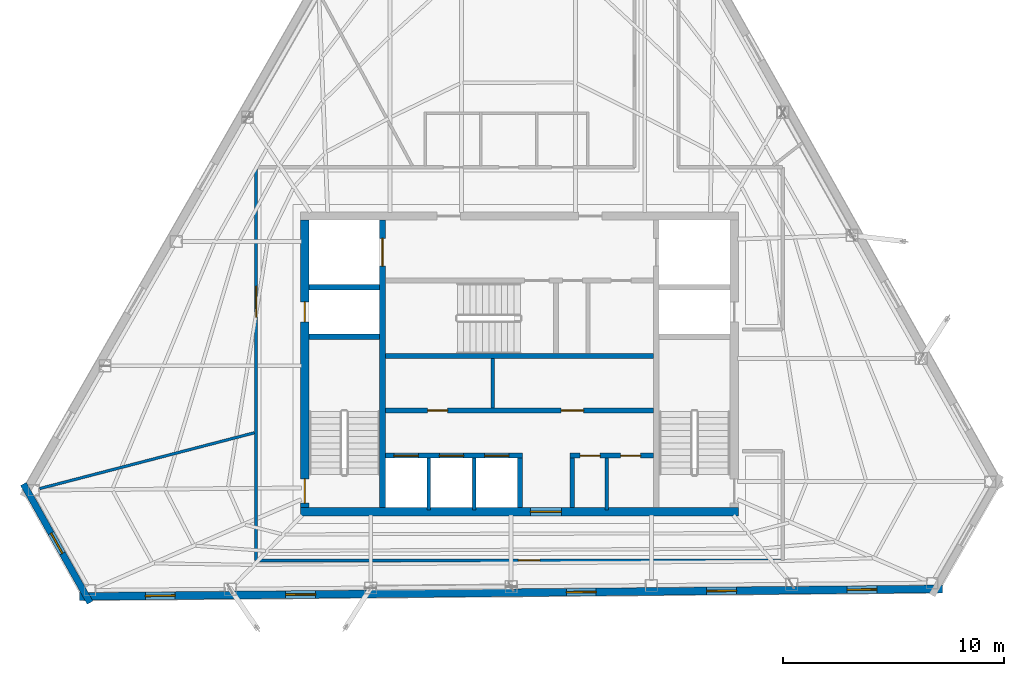
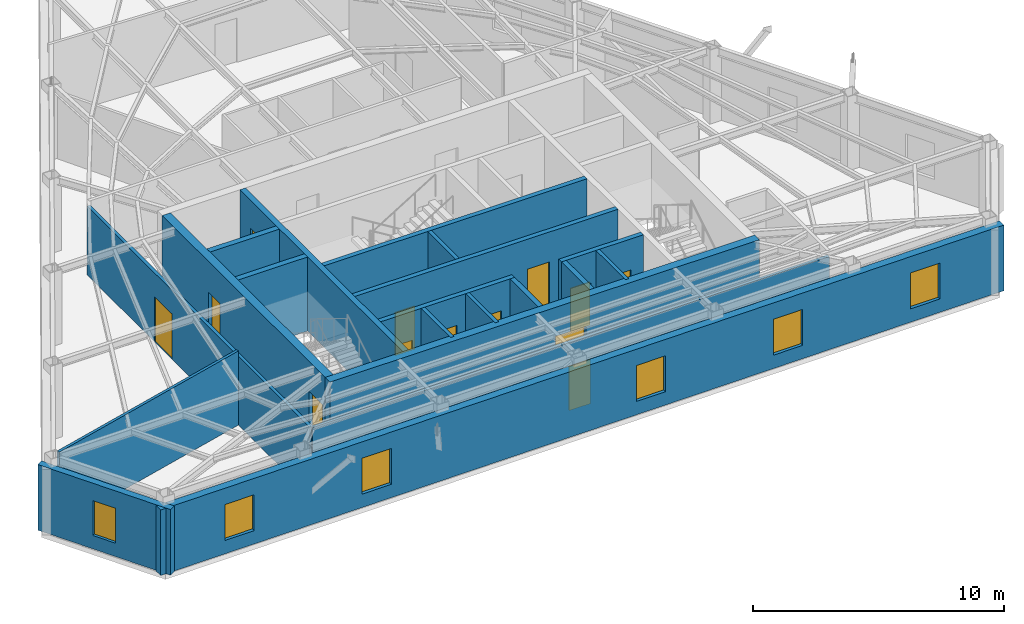
# One storey, part 7 of 11: 20 walls, 13 doors, 6 windows, 19 openings.
"""IFC4 building model written with IfcOpenShell, lengths in metres."""

from ifc_helpers import new_model, si_unit, direction, frame, frame_2d, origin, place, context, subcontext, project, spatial, rectangle, extrude, material, layer, layer_set, type_object, element, fill, save


model = new_model("IFC4")

# Units and contexts
model_context = context("Model", 3, precision=1e-05, world=origin(), true_north=direction((0.0, 1.0)))
body_context = subcontext(model_context, "Body", "Model", "MODEL_VIEW")
ifc_project = project(units=[si_unit("LENGTHUNIT", "METRE"), si_unit("AREAUNIT", "SQUARE_METRE"), si_unit("VOLUMEUNIT", "CUBIC_METRE"), si_unit("PLANEANGLEUNIT", "RADIAN"), si_unit("MASSUNIT", "GRAM", prefix="KILO")], contexts=[model_context])

# Site, building, storey
site_placement = place(None, origin())
site = spatial("IfcSite", under=ifc_project, at=site_placement, CompositionType="ELEMENT")
building_placement = place(site_placement, origin())
building = spatial("IfcBuilding", under=site, at=building_placement, Name="Kavelnor Concourse Tower", CompositionType="ELEMENT")
storey_placement = place(building_placement, frame((0.0, 0.0, 297.25)))
storey = spatial("IfcBuildingStorey", under=building, at=storey_placement, Name="L75", CompositionType="ELEMENT", Elevation=297.25)

# Wall, opening, door
ifc_material_1 = material(Name="Concrete C50/60", Category="concrete")
ifc_layer_1 = layer(ifc_material_1, 0.3798828125, Name="Concrete C50/60")
ifc_layer_set_1 = layer_set([ifc_layer_1], Name="Concrete C50/60")
wall_type_1 = type_object("IfcWallType", Name="WL-CORE-Z4-380", PredefinedType="SOLIDWALL", material=ifc_layer_set_1)
wall_1_placement = place(storey_placement, frame((28.10009765625, 9.409912109375, 0.0), z_axis=(0.0, 0.0, 1.0), x_axis=(1.0, 0.0, 0.0)))
wall_1 = element("IfcWall", 1, at=wall_1_placement, inside=storey, type_object=wall_type_1, Name="L75 Central Core South Shear Wall", PredefinedType="SOLIDWALL", context=body_context, shape_type="SweptSolid", body=[
    extrude(rectangle(XDim=19.7998046875, YDim=0.3798828125, at=frame_2d((9.89990234375, 0.0))), origin(), (0.0, 0.0, 1.0), 3.610107421875),
])
opening_1_placement = place(wall_1_placement, frame((10.39990234375, 0.0, 0.0)))
opening_1 = element("IfcOpeningElement", 2, at=opening_1_placement, cuts=wall_1, Name="Opening SD-140", PredefinedType="OPENING", context=body_context, shape_type="SweptSolid", body=[
    extrude(rectangle(XDim=1.39990234375, YDim=2.199951171875, at=frame_2d((0.699951171875, 1.10009765625))), frame((0.0, 0.199951171875, 0.0), z_axis=(0.0, -1.0, 0.0), x_axis=(1.0, 0.0, 0.0)), (0.0, 0.0, 1.0), 0.39990234375),
])
ifc_material_2 = material(Name="Solid-core hardwood timber", Category="wood")
door_type_1 = type_object("IfcDoorType", Name="DR-SUITE-ENTRY-1400", OperationType="NOTDEFINED", PredefinedType="DOOR", material=ifc_material_2)
door_1_placement = place(opening_1_placement, origin())
door_1 = element("IfcDoor", 3, at=door_1_placement, inside=storey, type_object=door_type_1, Name="L75 Passenger Lift Lobby Entry Door", OperationType="SINGLE_SWING_RIGHT", OverallHeight=2.199951171875, OverallWidth=1.39990234375, PredefinedType="DOOR", context=body_context, shape_type="SweptSolid", body=[
    extrude(rectangle(XDim=1.39990234375, YDim=2.199951171875, at=frame_2d((0.699951171875, 1.10009765625))), frame((0.0, 0.02490234375, 0.0), z_axis=(0.0, -1.0, 0.0), x_axis=(1.0, 0.0, 0.0)), (0.0, 0.0, 1.0), 0.050048828125),
])
fill(opening_1, door_1)

# Wall, openings, doors
wall_2_placement = place(storey_placement, frame((28.2900390625, 9.60009765625, 0.0), z_axis=(0.0, 0.0, 1.0), x_axis=(0.0, 1.0, 0.0)))
wall_2 = element("IfcWall", 4, at=wall_2_placement, inside=storey, type_object=wall_type_1, Name="L75 Central Core West Shear Wall", PredefinedType="SOLIDWALL", context=body_context, shape_type="SweptSolid", body=[
    extrude(rectangle(XDim=13.0, YDim=0.3798828125, at=frame_2d((6.5, 0.0))), origin(), (0.0, 0.0, 1.0), 3.610107421875),
])
opening_2_placement = place(wall_2_placement, frame((0.199951171875, 0.0, 0.0)))
opening_2 = element("IfcOpeningElement", 5, at=opening_2_placement, cuts=wall_2, Name="Opening FD-110", PredefinedType="OPENING", context=body_context, shape_type="SweptSolid", body=[
    extrude(rectangle(XDim=1.10009765625, YDim=2.14990234375, at=frame_2d((0.550048828125, 1.074951171875))), frame((0.0, 0.199951171875, 0.0), z_axis=(0.0, -1.0, 0.0), x_axis=(1.0, 0.0, 0.0)), (0.0, 0.0, 1.0), 0.39990234375),
])
opening_3_placement = place(wall_2_placement, frame((8.39990234375, 0.0, 0.0)))
opening_3 = element("IfcOpeningElement", 6, at=opening_3_placement, cuts=wall_2, Name="Opening FD-090", PredefinedType="OPENING", context=body_context, shape_type="SweptSolid", body=[
    extrude(rectangle(XDim=0.89990234375, YDim=2.10009765625, at=frame_2d((0.449951171875, 1.050048828125))), frame((0.0, 0.199951171875, 0.0), z_axis=(0.0, -1.0, 0.0), x_axis=(1.0, 0.0, 0.0)), (0.0, 0.0, 1.0), 0.39990234375),
])
ifc_material_3 = material(Name="Steel Grade 350", Category="steel")
door_type_2 = type_object("IfcDoorType", Name="DR-RISER-FIRE-900", OperationType="NOTDEFINED", PredefinedType="DOOR", material=ifc_material_3)
door_2_placement = place(opening_3_placement, origin())
door_2 = element("IfcDoor", 7, at=door_2_placement, inside=storey, type_object=door_type_2, Name="L75 West Riser Access Door", OperationType="SINGLE_SWING_RIGHT", OverallHeight=2.10009765625, OverallWidth=0.89990234375, PredefinedType="DOOR", context=body_context, shape_type="SweptSolid", body=[
    extrude(rectangle(XDim=0.89990234375, YDim=2.10009765625, at=frame_2d((0.449951171875, 1.050048828125))), frame((0.0, 0.02490234375, 0.0), z_axis=(0.0, -1.0, 0.0), x_axis=(1.0, 0.0, 0.0)), (0.0, 0.0, 1.0), 0.050048828125),
])
fill(opening_3, door_2)
door_type_3 = type_object("IfcDoorType", Name="DR-STAIR-FIRE-1100", OperationType="NOTDEFINED", PredefinedType="DOOR", material=ifc_material_3)
door_3_placement = place(opening_2_placement, origin())
door_3 = element("IfcDoor", 8, at=door_3_placement, inside=storey, type_object=door_type_3, Name="L75 Stair ST1 Fire Door", OperationType="SINGLE_SWING_LEFT", OverallHeight=2.14990234375, OverallWidth=1.10009765625, PredefinedType="DOOR", context=body_context, shape_type="SweptSolid", body=[
    extrude(rectangle(XDim=1.10009765625, YDim=2.14990234375, at=frame_2d((0.550048828125, 1.074951171875))), frame((0.0, 0.02490234375, 0.0), z_axis=(0.0, -1.0, 0.0), x_axis=(1.0, 0.0, 0.0)), (0.0, 0.0, 1.0), 0.050048828125),
])
fill(opening_2, door_3)

# Wall, opening, window
ifc_material_4 = material(Name="Buff ironspot clay face brick masonry", Category="masonry")
ifc_layer_2 = layer(ifc_material_4, 0.300048828125, Name="Buff ironspot clay face brick masonry")
ifc_layer_set_2 = layer_set([ifc_layer_2], Name="Buff ironspot clay face brick masonry")
wall_type_2 = type_object("IfcWallType", Name="WL-EXT-BUFF-BRICK-FOLD-300", PredefinedType="STANDARD", material=ifc_layer_set_2)
wall_3_placement = place(storey_placement, frame((18.58056640625, 5.299560546875, 0.0), z_axis=(0.0, 0.0, 1.0), x_axis=(-0.489735787541, 0.87187089549, 0.0)))
wall_3 = element("IfcWall", 9, at=wall_3_placement, inside=storey, type_object=wall_type_2, Name="L75 Exterior Brick Facade Wall E2", PredefinedType="STANDARD", context=body_context, shape_type="SweptSolid", body=[
    extrude(rectangle(XDim=6.15576171875, YDim=0.300048828125, at=frame_2d((3.077880859375, 0.0))), origin(), (0.0, 0.0, 1.0), 3.196044921875),
])
opening_4_placement = place(wall_3_placement, frame((2.552978515625, 0.0, 0.64990234375)))
opening_4 = element("IfcOpeningElement", 10, at=opening_4_placement, cuts=wall_3, Name="Opening W-06", PredefinedType="OPENING", context=body_context, shape_type="SweptSolid", body=[
    extrude(rectangle(XDim=1.050048828125, YDim=1.699951171875, at=frame_2d((0.52490234375, 0.85009765625))), frame((0.0, 0.16015625, 0.0), z_axis=(0.0, -1.0, 0.0), x_axis=(1.0, 0.0, 0.0)), (0.0, 0.0, 1.0), 0.320068359375),
])
ifc_material_5 = material(Name="Double low-E argon insulated glazing", Category="glass")
window_type_1 = type_object("IfcWindowType", Name="WIN-FOLD-1050", PartitioningType="SINGLE_PANEL", PredefinedType="WINDOW", material=ifc_material_5)
window_1_placement = place(opening_4_placement, origin())
window_1 = element("IfcWindow", 11, at=window_1_placement, inside=storey, type_object=window_type_1, Name="L75 Chamfer-Fold Facet Window C1", OverallHeight=1.699951171875, OverallWidth=1.050048828125, PartitioningType="SINGLE_PANEL", PredefinedType="WINDOW", context=body_context, shape_type="SweptSolid", body=[
    extrude(rectangle(XDim=1.050048828125, YDim=1.699951171875, at=frame_2d((0.52490234375, 0.85009765625))), frame((0.0, 0.030029296875, 0.0), z_axis=(0.0, -1.0, 0.0), x_axis=(1.0, 0.0, 0.0)), (0.0, 0.0, 1.0), 0.06005859375),
])
fill(opening_4, window_1)

# Wall, openings, windows
ifc_material_6 = material(Name="Red-ochre clay face brick masonry", Category="masonry")
ifc_layer_3 = layer(ifc_material_6, 0.35009765625, Name="Red-ochre clay face brick masonry")
ifc_layer_set_3 = layer_set([ifc_layer_3], Name="Red-ochre clay face brick masonry")
wall_type_3 = type_object("IfcWallType", Name="WL-EXT-RED-BRICK-PIER-350", PredefinedType="STANDARD", material=ifc_layer_set_3)
wall_4_placement = place(storey_placement, frame((57.144287109375, 5.918701171875, 0.0), z_axis=(0.0, 0.0, 1.0), x_axis=(-0.99996223466, -0.008690756851, 0.0)))
wall_4 = element("IfcWall", 12, at=wall_4_placement, inside=storey, type_object=wall_type_3, Name="L75 Exterior Brick Facade Wall E3", PredefinedType="STANDARD", context=body_context, shape_type="SweptSolid", body=[
    extrude(rectangle(XDim=39.0478515625, YDim=0.35009765625, at=frame_2d((19.52392578125, 0.0))), origin(), (0.0, 0.0, 1.0), 3.196044921875),
])
opening_5_placement = place(wall_4_placement, frame((34.715087890625, 0.0, 0.64990234375)))
opening_5 = element("IfcOpeningElement", 13, at=opening_5_placement, cuts=wall_4, Name="Opening W-04", PredefinedType="OPENING", context=body_context, shape_type="SweptSolid", body=[
    extrude(rectangle(XDim=1.35009765625, YDim=1.75, at=frame_2d((0.675048828125, 0.875))), frame((0.0, 0.18505859375, 0.0), z_axis=(0.0, -1.0, 0.0), x_axis=(1.0, 0.0, 0.0)), (0.0, 0.0, 1.0), 0.3701171875),
])
opening_6_placement = place(wall_4_placement, frame((28.3671875, 0.0, 0.64990234375)))
opening_6 = element("IfcOpeningElement", 14, at=opening_6_placement, cuts=wall_4, Name="Opening W-04", PredefinedType="OPENING", context=body_context, shape_type="SweptSolid", body=[
    extrude(rectangle(XDim=1.35009765625, YDim=1.75, at=frame_2d((0.675048828125, 0.875))), frame((0.0, 0.18505859375, 0.0), z_axis=(0.0, -1.0, 0.0), x_axis=(1.0, 0.0, 0.0)), (0.0, 0.0, 1.0), 0.3701171875),
])
opening_7_placement = place(wall_4_placement, frame((15.6708984375, 0.0, 0.64990234375)))
opening_7 = element("IfcOpeningElement", 15, at=opening_7_placement, cuts=wall_4, Name="Opening W-04", PredefinedType="OPENING", context=body_context, shape_type="SweptSolid", body=[
    extrude(rectangle(XDim=1.35009765625, YDim=1.75, at=frame_2d((0.675048828125, 0.875))), frame((0.0, 0.18505859375, 0.0), z_axis=(0.0, -1.0, 0.0), x_axis=(1.0, 0.0, 0.0)), (0.0, 0.0, 1.0), 0.3701171875),
])
opening_8_placement = place(wall_4_placement, frame((9.322509765625, 0.0, 0.64990234375)))
opening_8 = element("IfcOpeningElement", 16, at=opening_8_placement, cuts=wall_4, Name="Opening W-04", PredefinedType="OPENING", context=body_context, shape_type="SweptSolid", body=[
    extrude(rectangle(XDim=1.35009765625, YDim=1.75, at=frame_2d((0.675048828125, 0.875))), frame((0.0, 0.18505859375, 0.0), z_axis=(0.0, -1.0, 0.0), x_axis=(1.0, 0.0, 0.0)), (0.0, 0.0, 1.0), 0.3701171875),
])
opening_9_placement = place(wall_4_placement, frame((2.974365234375, 0.0, 0.64990234375)))
opening_9 = element("IfcOpeningElement", 17, at=opening_9_placement, cuts=wall_4, Name="Opening W-04", PredefinedType="OPENING", context=body_context, shape_type="SweptSolid", body=[
    extrude(rectangle(XDim=1.35009765625, YDim=1.75, at=frame_2d((0.675048828125, 0.875))), frame((0.0, 0.18505859375, 0.0), z_axis=(0.0, -1.0, 0.0), x_axis=(1.0, 0.0, 0.0)), (0.0, 0.0, 1.0), 0.3701171875),
])
window_type_2 = type_object("IfcWindowType", Name="WIN-PIER-Z4-1350", PartitioningType="SINGLE_PANEL", PredefinedType="WINDOW", material=ifc_material_5)
window_2_placement = place(opening_5_placement, origin())
window_2 = element("IfcWindow", 18, at=window_2_placement, inside=storey, type_object=window_type_2, Name="L75 Deep-Set Brick Pier Window F1-B0", OverallHeight=1.75, OverallWidth=1.35009765625, PartitioningType="SINGLE_PANEL", PredefinedType="WINDOW", context=body_context, shape_type="SweptSolid", body=[
    extrude(rectangle(XDim=1.35009765625, YDim=1.75, at=frame_2d((0.675048828125, 0.875))), frame((0.0, 0.030029296875, 0.0), z_axis=(0.0, -1.0, 0.0), x_axis=(1.0, 0.0, 0.0)), (0.0, 0.0, 1.0), 0.06005859375),
])
fill(opening_5, window_2)
window_3_placement = place(opening_6_placement, origin())
window_3 = element("IfcWindow", 19, at=window_3_placement, inside=storey, type_object=window_type_2, Name="L75 Deep-Set Brick Pier Window F1-B1", OverallHeight=1.75, OverallWidth=1.35009765625, PartitioningType="SINGLE_PANEL", PredefinedType="WINDOW", context=body_context, shape_type="SweptSolid", body=[
    extrude(rectangle(XDim=1.35009765625, YDim=1.75, at=frame_2d((0.675048828125, 0.875))), frame((0.0, 0.030029296875, 0.0), z_axis=(0.0, -1.0, 0.0), x_axis=(1.0, 0.0, 0.0)), (0.0, 0.0, 1.0), 0.06005859375),
])
fill(opening_6, window_3)
window_4_placement = place(opening_7_placement, origin())
window_4 = element("IfcWindow", 20, at=window_4_placement, inside=storey, type_object=window_type_2, Name="L75 Deep-Set Brick Pier Window F1-B3", OverallHeight=1.75, OverallWidth=1.35009765625, PartitioningType="SINGLE_PANEL", PredefinedType="WINDOW", context=body_context, shape_type="SweptSolid", body=[
    extrude(rectangle(XDim=1.35009765625, YDim=1.75, at=frame_2d((0.675048828125, 0.875))), frame((0.0, 0.030029296875, 0.0), z_axis=(0.0, -1.0, 0.0), x_axis=(1.0, 0.0, 0.0)), (0.0, 0.0, 1.0), 0.06005859375),
])
fill(opening_7, window_4)
window_5_placement = place(opening_8_placement, origin())
window_5 = element("IfcWindow", 21, at=window_5_placement, inside=storey, type_object=window_type_2, Name="L75 Deep-Set Brick Pier Window F1-B4", OverallHeight=1.75, OverallWidth=1.35009765625, PartitioningType="SINGLE_PANEL", PredefinedType="WINDOW", context=body_context, shape_type="SweptSolid", body=[
    extrude(rectangle(XDim=1.35009765625, YDim=1.75, at=frame_2d((0.675048828125, 0.875))), frame((0.0, 0.030029296875, 0.0), z_axis=(0.0, -1.0, 0.0), x_axis=(1.0, 0.0, 0.0)), (0.0, 0.0, 1.0), 0.06005859375),
])
fill(opening_8, window_5)
window_6_placement = place(opening_9_placement, origin())
window_6 = element("IfcWindow", 22, at=window_6_placement, inside=storey, type_object=window_type_2, Name="L75 Deep-Set Brick Pier Window F1-B5", OverallHeight=1.75, OverallWidth=1.35009765625, PartitioningType="SINGLE_PANEL", PredefinedType="WINDOW", context=body_context, shape_type="SweptSolid", body=[
    extrude(rectangle(XDim=1.35009765625, YDim=1.75, at=frame_2d((0.675048828125, 0.875))), frame((0.0, 0.030029296875, 0.0), z_axis=(0.0, -1.0, 0.0), x_axis=(1.0, 0.0, 0.0)), (0.0, 0.0, 1.0), 0.06005859375),
])
fill(opening_9, window_6)

# Wall, opening, door
ifc_material_7 = material(Name="Gypsum plasterboard on light-gauge steel studs", Category="steel")
ifc_layer_4 = layer(ifc_material_7, 0.14501953125, Name="Gypsum plasterboard on light-gauge steel studs")
ifc_layer_set_4 = layer_set([ifc_layer_4], Name="Gypsum plasterboard on light-gauge steel studs")
wall_type_4 = type_object("IfcWallType", Name="WL-INT-CORR-145", PredefinedType="PARTITIONING", material=ifc_layer_set_4)
wall_5_placement = place(storey_placement, frame((49.909912109375, 7.2099609375, 0.0), z_axis=(0.0, 0.0, 1.0), x_axis=(-1.0, 0.0, 0.0)))
wall_5 = element("IfcWall", 23, at=wall_5_placement, inside=storey, type_object=wall_type_4, Name="L75 Corridor Wall WL-L75-CR-09", PredefinedType="PARTITIONING", context=body_context, shape_type="SweptSolid", body=[
    extrude(rectangle(XDim=23.81982421875, YDim=0.14501953125, at=frame_2d((11.909912109375, 0.0))), origin(), (0.0, 0.0, 1.0), 3.34912109375),
])
opening_10_placement = place(wall_5_placement, frame((10.97998046875, 0.0, 0.0)))
opening_10 = element("IfcOpeningElement", 24, at=opening_10_placement, cuts=wall_5, Name="Opening OD-098", PredefinedType="OPENING", context=body_context, shape_type="SweptSolid", body=[
    extrude(rectangle(XDim=0.97998046875, YDim=2.14990234375, at=frame_2d((0.489990234375, 1.074951171875))), frame((0.0, 0.08251953125, 0.0), z_axis=(0.0, -1.0, 0.0), x_axis=(1.0, 0.0, 0.0)), (0.0, 0.0, 1.0), 0.1650390625),
])
door_type_4 = type_object("IfcDoorType", Name="DR-OFFICE-980", OperationType="NOTDEFINED", PredefinedType="DOOR", material=ifc_material_2)
door_4_placement = place(opening_10_placement, origin())
door_4 = element("IfcDoor", 25, at=door_4_placement, inside=storey, type_object=door_type_4, Name="L75 Architectural Design Studio 04 Door", OperationType="SINGLE_SWING_RIGHT", OverallHeight=2.14990234375, OverallWidth=0.97998046875, PredefinedType="DOOR", context=body_context, shape_type="SweptSolid", body=[
    extrude(rectangle(XDim=0.97998046875, YDim=2.14990234375, at=frame_2d((0.489990234375, 1.074951171875))), frame((0.0, 0.02490234375, 0.0), z_axis=(0.0, -1.0, 0.0), x_axis=(1.0, 0.0, 0.0)), (0.0, 0.0, 1.0), 0.050048828125),
])
fill(opening_10, door_4)

wall_6_placement = place(storey_placement, frame((26.090087890625, 7.2099609375, 0.0), z_axis=(0.0, 0.0, 1.0), x_axis=(0.0, 1.0, 0.0)))
wall_6 = element("IfcWall", 26, at=wall_6_placement, inside=storey, type_object=wall_type_4, Name="L75 Corridor Wall WL-L75-CR-10", PredefinedType="PARTITIONING", context=body_context, shape_type="SweptSolid", body=[
    extrude(rectangle(XDim=17.780029296875, YDim=0.14501953125, at=frame_2d((8.89013671875, 0.0))), origin(), (0.0, 0.0, 1.0), 3.34912109375),
])
opening_11_placement = place(wall_6_placement, frame((10.9912109375, 0.0, 0.0)))
opening_11 = element("IfcOpeningElement", 27, at=opening_11_placement, cuts=wall_6, Name="Opening SD-140", PredefinedType="OPENING", context=body_context, shape_type="SweptSolid", body=[
    extrude(rectangle(XDim=1.39990234375, YDim=2.199951171875, at=frame_2d((0.699951171875, 1.10009765625))), frame((0.0, 0.08251953125, 0.0), z_axis=(0.0, -1.0, 0.0), x_axis=(1.0, 0.0, 0.0)), (0.0, 0.0, 1.0), 0.1650390625),
])
door_5_placement = place(opening_11_placement, origin())
door_5 = element("IfcDoor", 28, at=door_5_placement, inside=storey, type_object=door_type_1, Name="L75 Architectural Design Studio 03 Door", OperationType="SINGLE_SWING_LEFT", OverallHeight=2.199951171875, OverallWidth=1.39990234375, PredefinedType="DOOR", context=body_context, shape_type="SweptSolid", body=[
    extrude(rectangle(XDim=1.39990234375, YDim=2.199951171875, at=frame_2d((0.699951171875, 1.10009765625))), frame((0.0, 0.02490234375, 0.0), z_axis=(0.0, -1.0, 0.0), x_axis=(1.0, 0.0, 0.0)), (0.0, 0.0, 1.0), 0.050048828125),
])
fill(opening_11, door_5)

# Walls
ifc_layer_5 = layer(ifc_material_7, 0.1650390625, Name="Gypsum plasterboard on light-gauge steel studs")
ifc_layer_set_5 = layer_set([ifc_layer_5], Name="Gypsum plasterboard on light-gauge steel studs")
wall_type_5 = type_object("IfcWallType", Name="WL-INT-FIRE-165", PredefinedType="PARTITIONING", material=ifc_layer_set_5)
for number, where, z_axis, x_axis, name in (
    (29, (33.89990234375, 9.489990234375, 0.0), (0.0, 0.0, 1.0), (0.0, 1.0, 0.0), "L75 Lift Shaft Divider LP7"),
    (30, (35.949951171875, 9.489990234375, 0.0), (0.0, 0.0, 1.0), (0.0, 1.0, 0.0), "L75 Lift Shaft Divider LP8"),
):
    element("IfcWall", number, at=place(storey_placement, frame(where, z_axis=z_axis, x_axis=x_axis)), inside=storey, type_object=wall_type_5, Name=name, PredefinedType="PARTITIONING", context=body_context, shape_type="SweptSolid", body=[
        extrude(rectangle(XDim=2.35009765625, YDim=0.1650390625, at=frame_2d((1.175048828125, 0.0))), origin(), (0.0, 0.0, 1.0), 3.610107421875),
    ])
wall_7_placement = place(storey_placement, frame((36.800048828125, 14.10009765625, 0.0), z_axis=(0.0, 0.0, 1.0), x_axis=(0.0, 1.0, 0.0)))
element("IfcWall", 31, at=wall_7_placement, inside=storey, type_object=wall_type_5, Name="L75 Reclaimed Core Partition A", PredefinedType="PARTITIONING", context=body_context, shape_type="SweptSolid", body=[
    extrude(rectangle(XDim=2.239990234375, YDim=0.1650390625, at=frame_2d((1.1201171875, 0.0))), origin(), (0.0, 0.0, 1.0), 3.610107421875),
])
wall_8_placement = place(storey_placement, frame((41.949951171875, 9.489990234375, 0.0), z_axis=(0.0, 0.0, 1.0), x_axis=(0.0, 1.0, 0.0)))
element("IfcWall", 32, at=wall_8_placement, inside=storey, type_object=wall_type_5, Name="L75 Core WC Partition", PredefinedType="PARTITIONING", context=body_context, shape_type="SweptSolid", body=[
    extrude(rectangle(XDim=2.35009765625, YDim=0.1650390625, at=frame_2d((1.175048828125, 0.0))), origin(), (0.0, 0.0, 1.0), 3.610107421875),
])
ifc_layer_6 = layer(ifc_material_7, 0.125, Name="Gypsum plasterboard on light-gauge steel studs")
ifc_layer_set_6 = layer_set([ifc_layer_6], Name="Gypsum plasterboard on light-gauge steel studs")
wall_type_6 = type_object("IfcWallType", Name="WL-INT-SUITE-125", PredefinedType="PARTITIONING", material=ifc_layer_set_6)
wall_9_placement = place(storey_placement, frame((26.009521484375, 12.981689453125, 0.0), z_axis=(0.0, 0.0, 1.0), x_axis=(-0.967808755158, -0.251686736719, 0.0)))
element("IfcWall", 33, at=wall_9_placement, inside=storey, type_object=wall_type_6, Name="L75 Radial Suite Partition 03", PredefinedType="PARTITIONING", context=body_context, shape_type="SweptSolid", body=[
    extrude(rectangle(XDim=10.031982421875, YDim=0.125, at=frame_2d((5.01611328125, 0.0))), origin(), (0.0, 0.0, 1.0), 3.610107421875),
])
ifc_layer_7 = layer(ifc_material_1, 0.219970703125, Name="Concrete C50/60")
ifc_layer_set_7 = layer_set([ifc_layer_7], Name="Concrete C50/60")
wall_type_7 = type_object("IfcWallType", Name="WL-SHAFT-220", PredefinedType="SOLIDWALL", material=ifc_layer_set_7)
wall_10_placement = place(storey_placement, frame((31.93994140625, 16.449951171875, 0.0), z_axis=(0.0, 0.0, 1.0), x_axis=(1.0, 0.0, 0.0)))
element("IfcWall", 34, at=wall_10_placement, inside=storey, type_object=wall_type_7, Name="L75 Stair ST3 South Core Wall", PredefinedType="SOLIDWALL", context=body_context, shape_type="SweptSolid", body=[
    extrude(rectangle(XDim=12.1201171875, YDim=0.219970703125, at=frame_2d((6.06005859375, 0.0))), origin(), (0.0, 0.0, 1.0), 3.610107421875),
])

# Wall, openings, doors
wall_11_placement = place(storey_placement, frame((31.93994140625, 13.989990234375, 0.0), z_axis=(0.0, 0.0, 1.0), x_axis=(1.0, 0.0, 0.0)))
wall_11 = element("IfcWall", 35, at=wall_11_placement, inside=storey, type_object=wall_type_7, Name="L75 North Lift Row Shaft Wall", PredefinedType="SOLIDWALL", context=body_context, shape_type="SweptSolid", body=[
    extrude(rectangle(XDim=12.1201171875, YDim=0.219970703125, at=frame_2d((6.06005859375, 0.0))), origin(), (0.0, 0.0, 1.0), 3.610107421875),
])
opening_12_placement = place(wall_11_placement, frame((1.909912109375, 0.0, 0.0)))
opening_12 = element("IfcOpeningElement", 36, at=opening_12_placement, cuts=wall_11, Name="Opening FD-090", PredefinedType="OPENING", context=body_context, shape_type="SweptSolid", body=[
    extrude(rectangle(XDim=0.89990234375, YDim=2.10009765625, at=frame_2d((0.449951171875, 1.050048828125))), frame((0.0, 0.1201171875, 0.0), z_axis=(0.0, -1.0, 0.0), x_axis=(1.0, 0.0, 0.0)), (0.0, 0.0, 1.0), 0.239990234375),
])
opening_13_placement = place(wall_11_placement, frame((7.949951171875, 0.0, 0.0)))
opening_13 = element("IfcOpeningElement", 37, at=opening_13_placement, cuts=wall_11, Name="Opening MD-102", PredefinedType="OPENING", context=body_context, shape_type="SweptSolid", body=[
    extrude(rectangle(XDim=1.02001953125, YDim=2.14990234375, at=frame_2d((0.510009765625, 1.074951171875))), frame((0.0, 0.1201171875, 0.0), z_axis=(0.0, -1.0, 0.0), x_axis=(1.0, 0.0, 0.0)), (0.0, 0.0, 1.0), 0.239990234375),
])
ifc_material_8 = material(Name="Acoustic glazed timber frame", Category="wood")
door_type_5 = type_object("IfcDoorType", Name="DR-MEETING-1020", OperationType="NOTDEFINED", PredefinedType="DOOR", material=ifc_material_8)
door_6_placement = place(opening_13_placement, origin())
door_6 = element("IfcDoor", 38, at=door_6_placement, inside=storey, type_object=door_type_5, Name="L75 Briefing Room Door", OperationType="SINGLE_SWING_RIGHT", OverallHeight=2.14990234375, OverallWidth=1.02001953125, PredefinedType="DOOR", context=body_context, shape_type="SweptSolid", body=[
    extrude(rectangle(XDim=1.02001953125, YDim=2.14990234375, at=frame_2d((0.510009765625, 1.074951171875))), frame((0.0, 0.02490234375, 0.0), z_axis=(0.0, -1.0, 0.0), x_axis=(1.0, 0.0, 0.0)), (0.0, 0.0, 1.0), 0.050048828125),
])
fill(opening_13, door_6)
door_7_placement = place(opening_12_placement, origin())
door_7 = element("IfcDoor", 39, at=door_7_placement, inside=storey, type_object=door_type_2, Name="L75 IT Room Door", OperationType="SINGLE_SWING_LEFT", OverallHeight=2.10009765625, OverallWidth=0.89990234375, PredefinedType="DOOR", context=body_context, shape_type="SweptSolid", body=[
    extrude(rectangle(XDim=0.89990234375, YDim=2.10009765625, at=frame_2d((0.449951171875, 1.050048828125))), frame((0.0, 0.02490234375, 0.0), z_axis=(0.0, -1.0, 0.0), x_axis=(1.0, 0.0, 0.0)), (0.0, 0.0, 1.0), 0.050048828125),
])
fill(opening_12, door_7)

wall_12_placement = place(storey_placement, frame((31.93994140625, 11.949951171875, 0.0), z_axis=(0.0, 0.0, 1.0), x_axis=(1.0, 0.0, 0.0)))
wall_12 = element("IfcWall", 40, at=wall_12_placement, inside=storey, type_object=wall_type_7, Name="L75 High-Rise Lift Bank North Wall", PredefinedType="SOLIDWALL", context=body_context, shape_type="SweptSolid", body=[
    extrude(rectangle(XDim=6.18994140625, YDim=0.219970703125, at=frame_2d((3.094970703125, 0.0))), origin(), (0.0, 0.0, 1.0), 3.610107421875),
])
opening_14_placement = place(wall_12_placement, frame((0.385009765625, 0.0, 0.0)))
opening_14 = element("IfcOpeningElement", 41, at=opening_14_placement, cuts=wall_12, Name="Opening LD-110", PredefinedType="OPENING", context=body_context, shape_type="SweptSolid", body=[
    extrude(rectangle(XDim=1.10009765625, YDim=2.199951171875, at=frame_2d((0.550048828125, 1.10009765625))), frame((0.0, 0.1201171875, 0.0), z_axis=(0.0, -1.0, 0.0), x_axis=(1.0, 0.0, 0.0)), (0.0, 0.0, 1.0), 0.239990234375),
])
opening_15_placement = place(wall_12_placement, frame((2.43505859375, 0.0, 0.0)))
opening_15 = element("IfcOpeningElement", 42, at=opening_15_placement, cuts=wall_12, Name="Opening LD-110", PredefinedType="OPENING", context=body_context, shape_type="SweptSolid", body=[
    extrude(rectangle(XDim=1.10009765625, YDim=2.199951171875, at=frame_2d((0.550048828125, 1.10009765625))), frame((0.0, 0.1201171875, 0.0), z_axis=(0.0, -1.0, 0.0), x_axis=(1.0, 0.0, 0.0)), (0.0, 0.0, 1.0), 0.239990234375),
])
opening_16_placement = place(wall_12_placement, frame((4.485107421875, 0.0, 0.0)))
opening_16 = element("IfcOpeningElement", 43, at=opening_16_placement, cuts=wall_12, Name="Opening LD-110", PredefinedType="OPENING", context=body_context, shape_type="SweptSolid", body=[
    extrude(rectangle(XDim=1.10009765625, YDim=2.199951171875, at=frame_2d((0.550048828125, 1.10009765625))), frame((0.0, 0.1201171875, 0.0), z_axis=(0.0, -1.0, 0.0), x_axis=(1.0, 0.0, 0.0)), (0.0, 0.0, 1.0), 0.239990234375),
])
door_type_6 = type_object("IfcDoorType", Name="DR-LIFT-SLIDING-1100", OperationType="NOTDEFINED", PredefinedType="DOOR", material=ifc_material_3)
door_8_placement = place(opening_14_placement, origin())
door_8 = element("IfcDoor", 44, at=door_8_placement, inside=storey, type_object=door_type_6, Name="L75 Lift LP7 Landing Door", OperationType="DOUBLE_DOOR_SLIDING", OverallHeight=2.199951171875, OverallWidth=1.10009765625, PredefinedType="DOOR", context=body_context, shape_type="SweptSolid", body=[
    extrude(rectangle(XDim=1.10009765625, YDim=2.199951171875, at=frame_2d((0.550048828125, 1.10009765625))), frame((0.0, 0.02490234375, 0.0), z_axis=(0.0, -1.0, 0.0), x_axis=(1.0, 0.0, 0.0)), (0.0, 0.0, 1.0), 0.050048828125),
])
fill(opening_14, door_8)
door_9_placement = place(opening_15_placement, origin())
door_9 = element("IfcDoor", 45, at=door_9_placement, inside=storey, type_object=door_type_6, Name="L75 Lift LP8 Landing Door", OperationType="DOUBLE_DOOR_SLIDING", OverallHeight=2.199951171875, OverallWidth=1.10009765625, PredefinedType="DOOR", context=body_context, shape_type="SweptSolid", body=[
    extrude(rectangle(XDim=1.10009765625, YDim=2.199951171875, at=frame_2d((0.550048828125, 1.10009765625))), frame((0.0, 0.02490234375, 0.0), z_axis=(0.0, -1.0, 0.0), x_axis=(1.0, 0.0, 0.0)), (0.0, 0.0, 1.0), 0.050048828125),
])
fill(opening_15, door_9)
door_10_placement = place(opening_16_placement, origin())
door_10 = element("IfcDoor", 46, at=door_10_placement, inside=storey, type_object=door_type_6, Name="L75 Lift LP9 Landing Door", OperationType="DOUBLE_DOOR_SLIDING", OverallHeight=2.199951171875, OverallWidth=1.10009765625, PredefinedType="DOOR", context=body_context, shape_type="SweptSolid", body=[
    extrude(rectangle(XDim=1.10009765625, YDim=2.199951171875, at=frame_2d((0.550048828125, 1.10009765625))), frame((0.0, 0.02490234375, 0.0), z_axis=(0.0, -1.0, 0.0), x_axis=(1.0, 0.0, 0.0)), (0.0, 0.0, 1.0), 0.050048828125),
])
fill(opening_16, door_10)

wall_13_placement = place(storey_placement, frame((40.280029296875, 11.949951171875, 0.0), z_axis=(0.0, 0.0, 1.0), x_axis=(1.0, 0.0, 0.0)))
wall_13 = element("IfcWall", 47, at=wall_13_placement, inside=storey, type_object=wall_type_7, Name="L75 Core South Support North Wall", PredefinedType="SOLIDWALL", context=body_context, shape_type="SweptSolid", body=[
    extrude(rectangle(XDim=3.780029296875, YDim=0.219970703125, at=frame_2d((1.89013671875, 0.0))), origin(), (0.0, 0.0, 1.0), 3.610107421875),
])
opening_17_placement = place(wall_13_placement, frame((0.469970703125, 0.0, 0.0)))
opening_17 = element("IfcOpeningElement", 48, at=opening_17_placement, cuts=wall_13, Name="Opening FD-090", PredefinedType="OPENING", context=body_context, shape_type="SweptSolid", body=[
    extrude(rectangle(XDim=0.89990234375, YDim=2.10009765625, at=frame_2d((0.449951171875, 1.050048828125))), frame((0.0, 0.1201171875, 0.0), z_axis=(0.0, -1.0, 0.0), x_axis=(1.0, 0.0, 0.0)), (0.0, 0.0, 1.0), 0.239990234375),
])
opening_18_placement = place(wall_13_placement, frame((2.300048828125, 0.0, 0.0)))
opening_18 = element("IfcOpeningElement", 49, at=opening_18_placement, cuts=wall_13, Name="Opening FD-090", PredefinedType="OPENING", context=body_context, shape_type="SweptSolid", body=[
    extrude(rectangle(XDim=0.89990234375, YDim=2.10009765625, at=frame_2d((0.449951171875, 1.050048828125))), frame((0.0, 0.1201171875, 0.0), z_axis=(0.0, -1.0, 0.0), x_axis=(1.0, 0.0, 0.0)), (0.0, 0.0, 1.0), 0.239990234375),
])
door_11_placement = place(opening_17_placement, origin())
door_11 = element("IfcDoor", 50, at=door_11_placement, inside=storey, type_object=door_type_2, Name="L75 Staff WC Door", OperationType="SINGLE_SWING_LEFT", OverallHeight=2.10009765625, OverallWidth=0.89990234375, PredefinedType="DOOR", context=body_context, shape_type="SweptSolid", body=[
    extrude(rectangle(XDim=0.89990234375, YDim=2.10009765625, at=frame_2d((0.449951171875, 1.050048828125))), frame((0.0, 0.02490234375, 0.0), z_axis=(0.0, -1.0, 0.0), x_axis=(1.0, 0.0, 0.0)), (0.0, 0.0, 1.0), 0.050048828125),
])
fill(opening_17, door_11)
door_12_placement = place(opening_18_placement, origin())
door_12 = element("IfcDoor", 51, at=door_12_placement, inside=storey, type_object=door_type_2, Name="L75 Core Comms Door", OperationType="SINGLE_SWING_RIGHT", OverallHeight=2.10009765625, OverallWidth=0.89990234375, PredefinedType="DOOR", context=body_context, shape_type="SweptSolid", body=[
    extrude(rectangle(XDim=0.89990234375, YDim=2.10009765625, at=frame_2d((0.449951171875, 1.050048828125))), frame((0.0, 0.02490234375, 0.0), z_axis=(0.0, -1.0, 0.0), x_axis=(1.0, 0.0, 0.0)), (0.0, 0.0, 1.0), 0.050048828125),
])
fill(opening_18, door_12)

# Walls
for number, where, z_axis, x_axis, name in (
    (52, (38.02001953125, 9.60009765625, 0.0), (0.0, 0.0, 1.0), (0.0, 1.0, 0.0), "L75 Lift Lobby Throat West Wall"),
    (53, (40.389892578125, 9.60009765625, 0.0), (0.0, 0.0, 1.0), (0.0, 1.0, 0.0), "L75 Lift Lobby Throat East Wall"),
):
    element("IfcWall", number, at=place(storey_placement, frame(where, z_axis=z_axis, x_axis=x_axis)), inside=storey, type_object=wall_type_7, Name=name, PredefinedType="SOLIDWALL", context=body_context, shape_type="SweptSolid", body=[
        extrude(rectangle(XDim=2.239990234375, YDim=0.219970703125, at=frame_2d((1.1201171875, 0.0))), origin(), (0.0, 0.0, 1.0), 3.610107421875),
    ])

# Wall, opening, door
ifc_layer_8 = layer(ifc_material_1, 0.260009765625, Name="Concrete C50/60")
ifc_layer_set_8 = layer_set([ifc_layer_8], Name="Concrete C50/60")
wall_type_8 = type_object("IfcWallType", Name="WL-SHAFT-260", PredefinedType="SHEAR", material=ifc_layer_set_8)
wall_14_placement = place(storey_placement, frame((31.81005859375, 9.60009765625, 0.0), z_axis=(0.0, 0.0, 1.0), x_axis=(0.0, 1.0, 0.0)))
wall_14 = element("IfcWall", 54, at=wall_14_placement, inside=storey, type_object=wall_type_8, Name="L75 Core West Wing Shear Wall", PredefinedType="SHEAR", context=body_context, shape_type="SweptSolid", body=[
    extrude(rectangle(XDim=13.0, YDim=0.260009765625, at=frame_2d((6.5, 0.0))), origin(), (0.0, 0.0, 1.0), 3.610107421875),
])
opening_19_placement = place(wall_14_placement, frame((10.925048828125, 0.0, 0.0)))
opening_19 = element("IfcOpeningElement", 55, at=opening_19_placement, cuts=wall_14, Name="Opening LD-125", PredefinedType="OPENING", context=body_context, shape_type="SweptSolid", body=[
    extrude(rectangle(XDim=1.25, YDim=2.25, at=frame_2d((0.625, 1.125))), frame((0.0, 0.14013671875, 0.0), z_axis=(0.0, -1.0, 0.0), x_axis=(1.0, 0.0, 0.0)), (0.0, 0.0, 1.0), 0.280029296875),
])
door_type_7 = type_object("IfcDoorType", Name="DR-LIFT-SLIDING-1250", OperationType="NOTDEFINED", PredefinedType="DOOR", material=ifc_material_3)
door_13_placement = place(opening_19_placement, origin())
door_13 = element("IfcDoor", 56, at=door_13_placement, inside=storey, type_object=door_type_7, Name="L75 Emergency Lift FL1 Landing Door", OperationType="DOUBLE_DOOR_SLIDING", OverallHeight=2.25, OverallWidth=1.25, PredefinedType="DOOR", context=body_context, shape_type="SweptSolid", body=[
    extrude(rectangle(XDim=1.25, YDim=2.25, at=frame_2d((0.625, 1.125))), frame((0.0, 0.02490234375, 0.0), z_axis=(0.0, -1.0, 0.0), x_axis=(1.0, 0.0, 0.0)), (0.0, 0.0, 1.0), 0.050048828125),
])
fill(opening_19, door_13)

# Walls
for number, where, z_axis, x_axis, name in (
    (57, (28.47998046875, 17.330078125, 0.0), (0.0, 0.0, 1.0), (1.0, 0.0, 0.0), "L75 Stair ST1 North Shaft Wall"),
    (58, (28.47998046875, 19.570068359375, 0.0), (0.0, 0.0, 1.0), (1.0, 0.0, 0.0), "L75 Emergency Lift FL1 South Shaft Wall"),
):
    element("IfcWall", number, at=place(storey_placement, frame(where, z_axis=z_axis, x_axis=x_axis)), inside=storey, type_object=wall_type_8, Name=name, PredefinedType="SHEAR", context=body_context, shape_type="SweptSolid", body=[
        extrude(rectangle(XDim=3.199951171875, YDim=0.260009765625, at=frame_2d((1.60009765625, 0.0))), origin(), (0.0, 0.0, 1.0), 3.610107421875),
    ])

save(model, "model.ifc")
